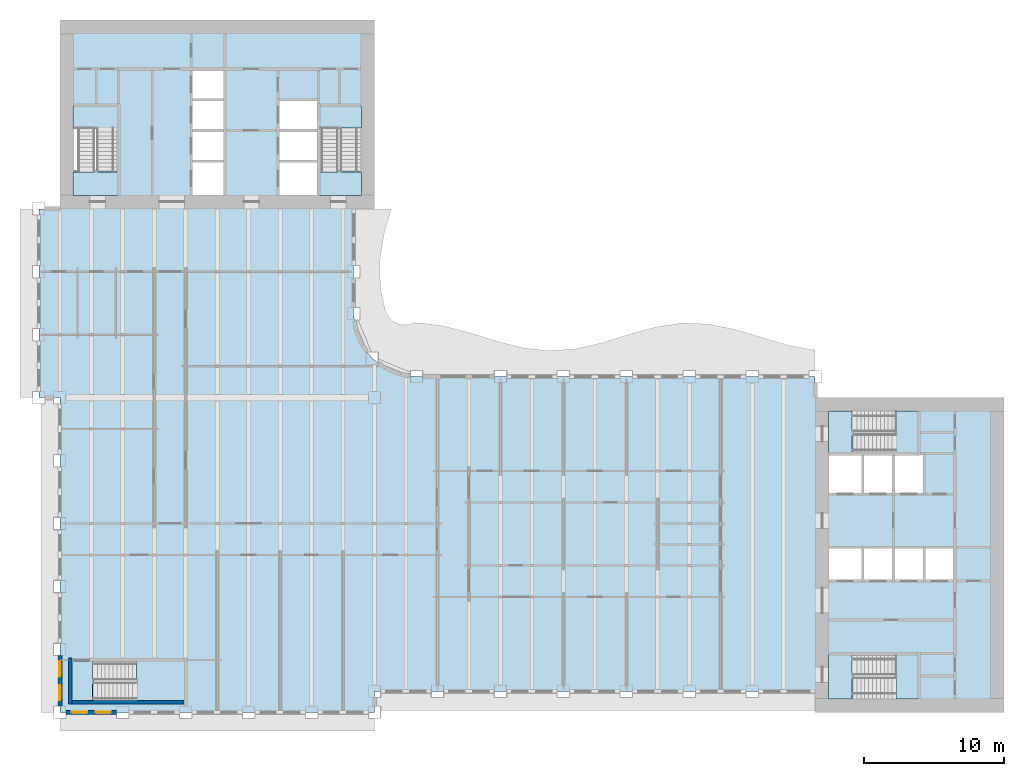
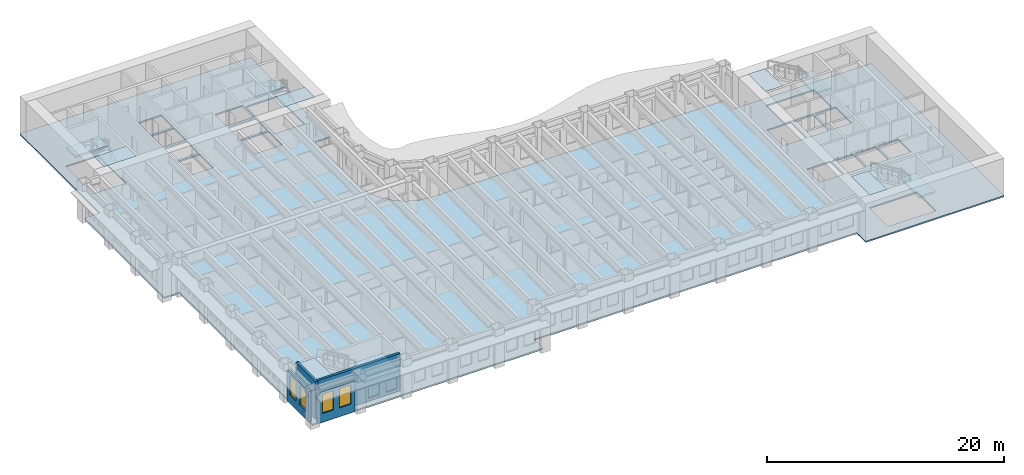
# One storey, part 2 of 16: 11 slabs, 4 walls, 4 windows, 4 openings, 5 elements without a shape of their own.
"""IFC4 building model written with IfcOpenShell, lengths in metres."""

import ifcopenshell
import ifcopenshell.guid

model = None  # the IFC model being written
_history = None  # IfcOwnerHistory: only IFC2X3 demands one
_inside = {}  # id of a spatial element -> (the spatial element, [elements in it])
_under = {}  # id of a project, library or spatial element -> (it, [spatial elements below it])
_declared = {}  # id of a project -> (the project, [libraries it declares])
_typed = {}  # id of a type object -> (the type object, [elements of that type])
_made_of = {}  # id of a material, layer set ... -> (it, [elements and type objects made of it])


def new_model(schema):
    """Start an empty IFC model of exactly this schema.

    Asked for "IFC4X3", IfcOpenShell would pick the latest addendum, in which some entities
    have other attributes; the version numbers below select the first issue.
    IFC2X3 requires an IfcOwnerHistory on every rooted entity: one is made here for all.
    """
    global model, _history
    if schema == "IFC4X3":
        model = ifcopenshell.file(schema_version=(4, 3, 0, 0))
    else:
        model = ifcopenshell.file(schema=schema)
    _inside.clear()
    _under.clear()
    _declared.clear()
    _typed.clear()
    _made_of.clear()
    _history = None
    if model.schema == "IFC2X3":
        org = make("IfcOrganization", Name="unknown")
        user = make(
            "IfcPersonAndOrganization",
            ThePerson=make("IfcPerson", FamilyName="unknown"),
            TheOrganization=org,
        )
        app = make(
            "IfcApplication",
            ApplicationDeveloper=org,
            Version="unknown",
            ApplicationFullName="unknown",
            ApplicationIdentifier="unknown",
        )
        _history = make(
            "IfcOwnerHistory",
            OwningUser=user,
            OwningApplication=app,
            ChangeAction="ADDED",
            CreationDate=0,
        )
    return model


def make(cls, **values):
    """One entity of the class cls with the attributes given. An attribute that is None is left unset."""
    return model.create_entity(
        cls, **{name: value for name, value in values.items() if value is not None}
    )


def rooted(cls, **values):
    """An entity with a GlobalId (a new one), such as an element, a storey or a relation."""
    return make(cls, GlobalId=ifcopenshell.guid.new(), OwnerHistory=_history, **values)


def si_unit(unit_type, name, prefix=None):
    """IfcSIUnit, for example si_unit("LENGTHUNIT", "METRE", prefix="MILLI")."""
    return make("IfcSIUnit", UnitType=unit_type, Prefix=prefix, Name=name)


def assignment(units):
    """IfcUnitAssignment: the units of a project."""
    return None if units is None else make("IfcUnitAssignment", Units=units)


def point(xyz):
    """IfcCartesianPoint."""
    return None if xyz is None else make("IfcCartesianPoint", Coordinates=xyz)


def direction(xyz):
    """IfcDirection."""
    return None if xyz is None else make("IfcDirection", DirectionRatios=xyz)


def frame(location, z_axis=None, x_axis=None):
    """IfcAxis2Placement3D, a coordinate frame: its origin and axes. An axis left out is left unset."""
    return make(
        "IfcAxis2Placement3D",
        Location=point(location),
        Axis=direction(z_axis),
        RefDirection=direction(x_axis),
    )


def frame_2d(location, x_axis=None):
    """IfcAxis2Placement2D, a coordinate frame in the plane: its origin and x axis."""
    return make(
        "IfcAxis2Placement2D", Location=point(location), RefDirection=direction(x_axis)
    )


def origin():
    """The frame at (0, 0, 0) with its axes left unset."""
    return frame((0.0, 0.0, 0.0))


def place(relative_to, where):
    """IfcLocalPlacement: puts the frame where relative to a parent placement (None: the world)."""
    return make(
        "IfcLocalPlacement", PlacementRelTo=relative_to, RelativePlacement=where
    )


def context(
    kind, dimensions, precision=None, world=None, true_north=None, identifier=None
):
    """IfcGeometricRepresentationContext, for example the 3D "Model" context."""
    return make(
        "IfcGeometricRepresentationContext",
        ContextIdentifier=identifier,
        ContextType=kind,
        CoordinateSpaceDimension=dimensions,
        Precision=precision,
        WorldCoordinateSystem=world,
        TrueNorth=true_north,
    )


def subcontext(parent, identifier, kind, view, scale=None):
    """IfcGeometricRepresentationSubContext, for example "Body" below "Model"."""
    return make(
        "IfcGeometricRepresentationSubContext",
        ContextIdentifier=identifier,
        ContextType=kind,
        ParentContext=parent,
        TargetScale=scale,
        TargetView=view,
    )


def project(units=None, contexts=None):
    """IfcProject with its units and contexts."""
    return rooted(
        "IfcProject",
        Name="project",
        RepresentationContexts=contexts,
        UnitsInContext=assignment(units),
    )


def spatial(cls, under=None, at=None, **own):
    """A site, building, storey or space (cls), placed at a placement, below another one or the project."""
    s = rooted(cls, ObjectPlacement=at, **own)
    if under is not None:
        _under.setdefault(under.id(), (under, []))[1].append(s)
    return s


def polyline(points):
    """IfcPolyline through the points."""
    return make("IfcPolyline", Points=[point(p) for p in points])


def profile(cls, at=None, kind="AREA", **sizes):
    """A parametric profile (cls). Its sizes go by their IFC names, for example OverallWidth=200.0."""
    return make(cls, ProfileType=kind, Position=at, **sizes)


def rectangle(**sizes):
    """IfcRectangleProfileDef."""
    return profile("IfcRectangleProfileDef", **sizes)


def outline(outer, holes=None, kind="AREA"):
    """IfcArbitraryClosedProfileDef: a profile drawn as a closed curve; with holes, ...WithVoids."""
    if holes is None:
        return make("IfcArbitraryClosedProfileDef", ProfileType=kind, OuterCurve=outer)
    return make(
        "IfcArbitraryProfileDefWithVoids",
        ProfileType=kind,
        OuterCurve=outer,
        InnerCurves=holes,
    )


def extrude(swept, where, along, depth):
    """IfcExtrudedAreaSolid: the profile swept, set in the frame where, extruded along a direction by depth."""
    return make(
        "IfcExtrudedAreaSolid",
        SweptArea=swept,
        Position=where,
        ExtrudedDirection=direction(along),
        Depth=depth,
    )


def shape(context_of_items, identifier, shape_type, items):
    """IfcShapeRepresentation: the items that make up one representation, for example the "Body"."""
    return make(
        "IfcShapeRepresentation",
        ContextOfItems=context_of_items,
        RepresentationIdentifier=identifier,
        RepresentationType=shape_type,
        Items=items,
    )


def material(Name=None, Category=None):
    """IfcMaterial."""
    return make("IfcMaterial", Name=Name, Category=Category)


def layer(
    of_material, thickness, ventilated=None, Name=None, Category=None, Priority=None
):
    """IfcMaterialLayer: one layer of a wall or slab, of a material (None: an air gap)."""
    return make(
        "IfcMaterialLayer",
        Material=of_material,
        LayerThickness=thickness,
        IsVentilated=ventilated,
        Name=Name,
        Category=Category,
        Priority=Priority,
    )


def layer_set(layers, Name=None):
    """IfcMaterialLayerSet."""
    return make("IfcMaterialLayerSet", MaterialLayers=layers, LayerSetName=Name)


def made_of(thing, what):
    """Note that an element or type object is made of a material, layer set ...; save() writes the relation."""
    if what is not None:
        _made_of.setdefault(what.id(), (what, []))[1].append(thing)
    return thing


def type_object(cls, material=None, **own):
    """A type object (cls), such as IfcWallType, which elements share."""
    return made_of(rooted(cls, **own), material)


def element(
    cls,
    number,
    at=None,
    inside=None,
    cuts=None,
    type_object=None,
    material=None,
    context=None,
    identifier="Body",
    shape_type=None,
    held_by="IfcProductDefinitionShape",
    body=None,
    shapes=None,
    **own,
):
    """One element of the class cls, such as IfcWall. Its Tag is "e" and its number.

    at: its placement. inside: the storey or other place that contains it. cuts: it is an
    opening in that element (IfcRelVoidsElement). A single representation is given by context,
    identifier, shape_type and body (its items); several are given by shapes. held_by: the class
    of the entity that holds the representations. save() writes the other relations.
    """
    e = rooted(cls, Tag="e%d" % number, ObjectPlacement=at, **own)
    if body is not None:
        shapes = [shape(context, identifier, shape_type, body)]
    if shapes is not None:
        e.Representation = make(held_by, Representations=shapes)
    if inside is not None:
        _inside.setdefault(inside.id(), (inside, []))[1].append(e)
    if cuts is not None:
        rooted(
            "IfcRelVoidsElement", RelatingBuildingElement=cuts, RelatedOpeningElement=e
        )
    if type_object is not None:
        _typed.setdefault(type_object.id(), (type_object, []))[1].append(e)
    return made_of(e, material)


def fill(opening, filler):
    """IfcRelFillsElement: the door or window that sits in an opening."""
    return rooted(
        "IfcRelFillsElement",
        RelatingOpeningElement=opening,
        RelatedBuildingElement=filler,
    )


def aggregate(whole, parts):
    """IfcRelAggregates: a whole, such as a stair, and the parts it consists of."""
    return rooted("IfcRelAggregates", RelatingObject=whole, RelatedObjects=parts)


def save(model, path):
    """Write the relations noted so far, then the file.

    IfcRelAggregates (storeys below a building ...), IfcRelContainedInSpatialStructure (elements
    in a storey), IfcRelDefinesByType, IfcRelAssociatesMaterial and IfcRelDeclares: one each for
    every whole, place, type object, material and project.
    """
    for whole, parts in _under.values():
        aggregate(whole, parts)
    for where, things in _inside.values():
        rooted(
            "IfcRelContainedInSpatialStructure",
            RelatedElements=things,
            RelatingStructure=where,
        )
    for kind, things in _typed.values():
        rooted("IfcRelDefinesByType", RelatedObjects=things, RelatingType=kind)
    for what, things in _made_of.values():
        rooted("IfcRelAssociatesMaterial", RelatedObjects=things, RelatingMaterial=what)
    for by, libraries in _declared.values():
        rooted("IfcRelDeclares", RelatingContext=by, RelatedDefinitions=libraries)
    model.write(path)


model = new_model("IFC4")

# Units and contexts
model_context = context("Model", 3, precision=1e-05, world=origin(), true_north=direction((0.0, 1.0)))
body_context = subcontext(model_context, "Body", "Model", "MODEL_VIEW")
ifc_project = project(units=[si_unit("LENGTHUNIT", "METRE"), si_unit("AREAUNIT", "SQUARE_METRE"), si_unit("VOLUMEUNIT", "CUBIC_METRE"), si_unit("PLANEANGLEUNIT", "RADIAN"), si_unit("MASSUNIT", "GRAM", prefix="KILO")], contexts=[model_context])

# Site, building, storey
site_placement = place(None, origin())
site = spatial("IfcSite", under=ifc_project, at=site_placement, CompositionType="ELEMENT")
building_placement = place(site_placement, origin())
building = spatial("IfcBuilding", under=site, at=building_placement, Name="Sennacour Bend Tower", CompositionType="ELEMENT")
storey_placement = place(building_placement, frame((0.0, 0.0, 171.0)))
storey = spatial("IfcBuildingStorey", under=building, at=storey_placement, Name="L39", CompositionType="ELEMENT", Elevation=171.0)

# Slabs
ifc_material_1 = material(Name="Concrete C30/37", Category="concrete")
ifc_layer_1 = layer(ifc_material_1, 0.14990234375, Name="Concrete C30/37", Category="concrete")
ifc_layer_set_1 = layer_set([ifc_layer_1], Name="Concrete C30/37")
slab_type_1 = type_object("IfcSlabType", Name="Floor slab 150", PredefinedType="FLOOR", material=ifc_layer_set_1)
slab_1_placement = place(storey_placement, frame((0.0, 0.0, -0.14990234375)))
element("IfcSlab", 1, at=slab_1_placement, inside=storey, type_object=slab_type_1, Name="Floor slab L39-01", PredefinedType="FLOOR", context=body_context, shape_type="SweptSolid", body=[
    extrude(outline(polyline([(0.0, 22.5), (-1.5, 22.5), (-1.5, 36.0), (0.0, 36.0), (0.0, 49.5), (22.5, 49.5), (22.5, 36.0), (21.0, 36.0), (21.0, 28.5), (21.1533203125, 27.335205078125), (21.602783203125, 26.25), (22.318115234375, 25.318115234375), (23.25, 24.602783203125), (24.335205078125, 24.1533203125), (25.5, 24.0), (54.0, 24.0), (54.0, 22.5), (67.5, 22.5), (67.5, 0.0), (54.0, 0.0), (54.0, 1.5), (22.5, 1.5), (22.5, 0.0), (0.0, 0.0), (0.0, 22.5)]), holes=[polyline([(8.800048828125, 0.949951171875), (8.800048828125, 3.5), (2.429931640625, 3.5), (2.429931640625, 0.949951171875), (8.800048828125, 0.949951171875)]), polyline([(11.699951171875, 37.0), (11.699951171875, 39.300048828125), (9.5, 39.300048828125), (9.5, 37.0), (11.699951171875, 37.0)]), polyline([(18.39990234375, 37.0), (18.39990234375, 39.300048828125), (15.699951171875, 39.300048828125), (15.699951171875, 37.0), (18.39990234375, 37.0)]), polyline([(11.699951171875, 39.5), (11.699951171875, 41.5), (9.5, 41.5), (9.5, 39.5), (11.699951171875, 39.5)]), polyline([(18.39990234375, 39.5), (18.39990234375, 41.5), (15.699951171875, 41.5), (15.699951171875, 39.5), (18.39990234375, 39.5)]), polyline([(4.125, 38.72998046875), (4.125, 43.39990234375), (0.949951171875, 43.39990234375), (0.949951171875, 38.72998046875), (4.125, 38.72998046875)]), polyline([(21.550048828125, 38.72998046875), (21.550048828125, 43.39990234375), (18.574951171875, 43.39990234375), (18.574951171875, 38.72998046875), (21.550048828125, 38.72998046875)]), polyline([(9.5, 41.699951171875), (11.699951171875, 41.699951171875), (11.699951171875, 43.699951171875), (9.5, 43.699951171875), (9.5, 41.699951171875)]), polyline([(15.699951171875, 41.699951171875), (18.39990234375, 41.699951171875), (18.39990234375, 43.699951171875), (15.699951171875, 43.699951171875), (15.699951171875, 41.699951171875)]), polyline([(11.699951171875, 43.89990234375), (11.699951171875, 45.89990234375), (9.5, 45.89990234375), (9.5, 43.89990234375), (11.699951171875, 43.89990234375)]), polyline([(61.39990234375, 0.949951171875), (61.39990234375, 4.125), (56.72998046875, 4.125), (56.72998046875, 0.949951171875), (61.39990234375, 0.949951171875)]), polyline([(57.300048828125, 9.5), (57.300048828125, 11.699951171875), (55.0, 11.699951171875), (55.0, 9.5), (57.300048828125, 9.5)]), polyline([(57.5, 9.5), (59.5, 9.5), (59.5, 11.699951171875), (57.5, 11.699951171875), (57.5, 9.5)]), polyline([(59.699951171875, 9.5), (61.699951171875, 9.5), (61.699951171875, 11.699951171875), (59.699951171875, 11.699951171875), (59.699951171875, 9.5)]), polyline([(63.89990234375, 9.5), (63.89990234375, 11.699951171875), (61.89990234375, 11.699951171875), (61.89990234375, 9.5), (63.89990234375, 9.5)]), polyline([(57.300048828125, 15.699951171875), (57.300048828125, 18.39990234375), (55.0, 18.39990234375), (55.0, 15.699951171875), (57.300048828125, 15.699951171875)]), polyline([(59.5, 15.699951171875), (59.5, 18.39990234375), (57.5, 18.39990234375), (57.5, 15.699951171875), (59.5, 15.699951171875)]), polyline([(59.699951171875, 15.699951171875), (61.699951171875, 15.699951171875), (61.699951171875, 18.39990234375), (59.699951171875, 18.39990234375), (59.699951171875, 15.699951171875)]), polyline([(56.72998046875, 18.574951171875), (61.39990234375, 18.574951171875), (61.39990234375, 21.550048828125), (56.72998046875, 21.550048828125), (56.72998046875, 18.574951171875)])]), origin(), (0.0, 0.0, 1.0), 0.14990234375),
])
ifc_material_2 = material(Name="Concrete C40/50", Category="concrete")
ifc_layer_2 = layer(ifc_material_2, 0.034912109375, Name="Concrete C40/50", Category="concrete")
ifc_layer_set_2 = layer_set([ifc_layer_2], Name="Concrete C40/50")
slab_type_2 = type_object("IfcSlabType", Name="Stair arrival nib 35", PredefinedType="FLOOR", material=ifc_layer_set_2)
slab_2_placement = place(storey_placement, frame((0.0, 0.0, 3.815185546875)))
element("IfcSlab", 2, at=slab_2_placement, inside=storey, type_object=slab_type_2, Name="L39 SA1 stair arrival nib", PredefinedType="FLOOR", context=body_context, shape_type="SweptSolid", body=[
    extrude(outline(polyline([(56.64208984375, 4.125), (54.949951171875, 4.125), (54.949951171875, 0.949951171875), (56.64208984375, 0.949951171875), (56.64208984375, 4.125)])), origin(), (0.0, 0.0, 1.0), 0.034912109375),
])
slab_3_placement = place(storey_placement, frame((0.0, 0.0, 3.815185546875)))
element("IfcSlab", 3, at=slab_3_placement, inside=storey, type_object=slab_type_2, Name="L39 SA2 stair arrival nib", PredefinedType="FLOOR", context=body_context, shape_type="SweptSolid", body=[
    extrude(outline(polyline([(56.64208984375, 21.550048828125), (54.949951171875, 21.550048828125), (54.949951171875, 18.574951171875), (56.64208984375, 18.574951171875), (56.64208984375, 21.550048828125)])), origin(), (0.0, 0.0, 1.0), 0.034912109375),
])
slab_4_placement = place(storey_placement, frame((0.0, 0.0, 3.815185546875)))
element("IfcSlab", 4, at=slab_4_placement, inside=storey, type_object=slab_type_2, Name="L39 SB1 stair arrival nib", PredefinedType="FLOOR", context=body_context, shape_type="SweptSolid", body=[
    extrude(outline(polyline([(0.949951171875, 38.64208984375), (0.949951171875, 36.949951171875), (4.125, 36.949951171875), (4.125, 38.64208984375), (0.949951171875, 38.64208984375)])), origin(), (0.0, 0.0, 1.0), 0.034912109375),
])
slab_5_placement = place(storey_placement, frame((0.0, 0.0, 3.815185546875)))
element("IfcSlab", 5, at=slab_5_placement, inside=storey, type_object=slab_type_2, Name="L39 SB2 stair arrival nib", PredefinedType="FLOOR", context=body_context, shape_type="SweptSolid", body=[
    extrude(outline(polyline([(18.574951171875, 38.64208984375), (18.574951171875, 36.949951171875), (21.550048828125, 36.949951171875), (21.550048828125, 38.64208984375), (18.574951171875, 38.64208984375)])), origin(), (0.0, 0.0, 1.0), 0.034912109375),
])
slab_6_placement = place(storey_placement, frame((0.0, 0.0, 3.815185546875)))
element("IfcSlab", 6, at=slab_6_placement, inside=storey, type_object=slab_type_2, Name="L39 SK1 stair arrival nib", PredefinedType="FLOOR", context=body_context, shape_type="SweptSolid", body=[
    extrude(outline(polyline([(2.342041015625, 3.675048828125), (0.800048828125, 3.675048828125), (0.800048828125, 0.800048828125), (2.342041015625, 0.800048828125), (2.342041015625, 3.675048828125)])), origin(), (0.0, 0.0, 1.0), 0.034912109375),
])

# Stair, slab
stair_type = type_object("IfcStairType", Name="ST-DOGLEG", PredefinedType="HALF_TURN_STAIR", material=ifc_material_2)
stair_1_placement = place(storey_placement, origin())
stair_1 = element("IfcStair", 7, at=stair_1_placement, inside=storey, type_object=stair_type, Name="L39 Exit stair A1", PredefinedType="HALF_TURN_STAIR")
ifc_layer_3 = layer(ifc_material_2, 0.199951171875, Name="Concrete C40/50", Category="concrete")
ifc_layer_set_3 = layer_set([ifc_layer_3], Name="Concrete C40/50")
slab_type_3 = type_object("IfcSlabType", Name="Stair landing 200", PredefinedType="LANDING", material=ifc_layer_set_3)
slab_7_placement = place(storey_placement, frame((0.0, 0.0, 1.800048828125)))
slab_7 = element("IfcSlab", 8, at=slab_7_placement, type_object=slab_type_3, Name="SA1 landing 1", PredefinedType="LANDING", context=body_context, shape_type="SweptSolid", body=[
    extrude(outline(polyline([(59.780029296875, 0.949951171875), (61.324951171875, 0.949951171875), (61.324951171875, 4.125), (59.780029296875, 4.125), (59.780029296875, 0.949951171875)])), origin(), (0.0, 0.0, 1.0), 0.199951171875),
])
aggregate(stair_1, [slab_7])

stair_2_placement = place(storey_placement, origin())
stair_2 = element("IfcStair", 9, at=stair_2_placement, inside=storey, type_object=stair_type, Name="L39 Exit stair A2", PredefinedType="HALF_TURN_STAIR")
slab_8_placement = place(storey_placement, frame((0.0, 0.0, 1.800048828125)))
slab_8 = element("IfcSlab", 10, at=slab_8_placement, type_object=slab_type_3, Name="SA2 landing 1", PredefinedType="LANDING", context=body_context, shape_type="SweptSolid", body=[
    extrude(outline(polyline([(59.780029296875, 18.574951171875), (61.324951171875, 18.574951171875), (61.324951171875, 21.550048828125), (59.780029296875, 21.550048828125), (59.780029296875, 18.574951171875)])), origin(), (0.0, 0.0, 1.0), 0.199951171875),
])
aggregate(stair_2, [slab_8])

stair_3_placement = place(storey_placement, origin())
stair_3 = element("IfcStair", 11, at=stair_3_placement, inside=storey, type_object=stair_type, Name="L39 Exit stair B1", PredefinedType="HALF_TURN_STAIR")
slab_9_placement = place(storey_placement, frame((0.0, 0.0, 1.800048828125)))
slab_9 = element("IfcSlab", 12, at=slab_9_placement, type_object=slab_type_3, Name="SB1 landing 1", PredefinedType="LANDING", context=body_context, shape_type="SweptSolid", body=[
    extrude(outline(polyline([(0.949951171875, 41.780029296875), (4.125, 41.780029296875), (4.125, 43.324951171875), (0.949951171875, 43.324951171875), (0.949951171875, 41.780029296875)])), origin(), (0.0, 0.0, 1.0), 0.199951171875),
])
aggregate(stair_3, [slab_9])

stair_4_placement = place(storey_placement, origin())
stair_4 = element("IfcStair", 13, at=stair_4_placement, inside=storey, type_object=stair_type, Name="L39 Exit stair B2", PredefinedType="HALF_TURN_STAIR")
slab_10_placement = place(storey_placement, frame((0.0, 0.0, 1.800048828125)))
slab_10 = element("IfcSlab", 14, at=slab_10_placement, type_object=slab_type_3, Name="SB2 landing 1", PredefinedType="LANDING", context=body_context, shape_type="SweptSolid", body=[
    extrude(outline(polyline([(18.574951171875, 41.780029296875), (21.550048828125, 41.780029296875), (21.550048828125, 43.324951171875), (18.574951171875, 43.324951171875), (18.574951171875, 41.780029296875)])), origin(), (0.0, 0.0, 1.0), 0.199951171875),
])
aggregate(stair_4, [slab_10])

stair_5_placement = place(storey_placement, origin())
stair_5 = element("IfcStair", 15, at=stair_5_placement, inside=storey, type_object=stair_type, Name="L39 Exit stair K1", PredefinedType="HALF_TURN_STAIR")
slab_11_placement = place(storey_placement, frame((0.0, 0.0, 1.800048828125)))
slab_11 = element("IfcSlab", 16, at=slab_11_placement, type_object=slab_type_3, Name="SK1 landing 1", PredefinedType="LANDING", context=body_context, shape_type="SweptSolid", body=[
    extrude(outline(polyline([(5.47998046875, 0.800048828125), (8.925048828125, 0.800048828125), (8.925048828125, 3.675048828125), (5.47998046875, 3.675048828125), (5.47998046875, 0.800048828125)])), origin(), (0.0, 0.0, 1.0), 0.199951171875),
])
aggregate(stair_5, [slab_11])

# Wall, openings, windows
ifc_material_3 = material(Name="Warm limestone cladding", Category="masonry")
ifc_layer_4 = layer(ifc_material_3, 0.050048828125, Name="Warm limestone cladding", Category="masonry")
ifc_material_4 = material(Name="Precast concrete C40/50", Category="concrete")
ifc_layer_5 = layer(ifc_material_4, 0.25, Name="Precast concrete C40/50", Category="concrete")
ifc_layer_set_4 = layer_set([ifc_layer_4, ifc_layer_5], Name="Precast concrete C40/50 with limestone cladding")
wall_type_1 = type_object("IfcWallType", Name="STONE-CLAD PRECAST SPANDREL 300", PredefinedType="STANDARD", material=ifc_layer_set_4)
wall_1_placement = place(storey_placement, frame((0.449951171875, 0.0, 0.0), z_axis=(0.0, 0.0, 1.0), x_axis=(1.0, 0.0, 0.0)))
wall_1 = element("IfcWall", 17, at=wall_1_placement, inside=storey, type_object=wall_type_1, Name="Stone spandrel and pier wall L39 00.00", PredefinedType="STANDARD", context=body_context, shape_type="SweptSolid", body=[
    extrude(rectangle(XDim=3.60009765625, YDim=0.300048828125, at=frame_2d((1.800048828125, 0.0))), origin(), (0.0, 0.0, 1.0), 3.14892578125),
])
opening_1_placement = place(wall_1_placement, frame((0.39990234375, 0.0, 0.89990234375)))
opening_1 = element("IfcOpeningElement", 18, at=opening_1_placement, cuts=wall_1, Name="Opening W19", PredefinedType="OPENING", context=body_context, shape_type="SweptSolid", body=[
    extrude(rectangle(XDim=1.10009765625, YDim=2.0, at=frame_2d((0.550048828125, 1.0))), frame((0.0, 0.16015625, 0.0), z_axis=(0.0, -1.0, 0.0), x_axis=(1.0, 0.0, 0.0)), (0.0, 0.0, 1.0), 0.320068359375),
])
opening_2_placement = place(wall_1_placement, frame((2.10009765625, 0.0, 0.89990234375)))
opening_2 = element("IfcOpeningElement", 19, at=opening_2_placement, cuts=wall_1, Name="Opening W19", PredefinedType="OPENING", context=body_context, shape_type="SweptSolid", body=[
    extrude(rectangle(XDim=1.10009765625, YDim=2.0, at=frame_2d((0.550048828125, 1.0))), frame((0.0, 0.16015625, 0.0), z_axis=(0.0, -1.0, 0.0), x_axis=(1.0, 0.0, 0.0)), (0.0, 0.0, 1.0), 0.320068359375),
])
ifc_material_5 = material(Name="Clear low-emissivity glass", Category="glass")
window_type = type_object("IfcWindowType", Name="WIN-RIBBON-1100x2000", PartitioningType="SINGLE_PANEL", PredefinedType="WINDOW", material=ifc_material_5)
window_1_placement = place(opening_1_placement, origin())
window_1 = element("IfcWindow", 20, at=window_1_placement, inside=storey, type_object=window_type, Name="Ribbon window L39 00.00.0", OverallHeight=2.0, OverallWidth=1.10009765625, PartitioningType="SINGLE_PANEL", PredefinedType="WINDOW", context=body_context, shape_type="SweptSolid", body=[
    extrude(rectangle(XDim=1.10009765625, YDim=2.0, at=frame_2d((0.550048828125, 1.0))), frame((0.0, 0.030029296875, 0.0), z_axis=(0.0, -1.0, 0.0), x_axis=(1.0, 0.0, 0.0)), (0.0, 0.0, 1.0), 0.06005859375),
])
fill(opening_1, window_1)
window_2_placement = place(opening_2_placement, origin())
window_2 = element("IfcWindow", 21, at=window_2_placement, inside=storey, type_object=window_type, Name="Ribbon window L39 00.00.1", OverallHeight=2.0, OverallWidth=1.10009765625, PartitioningType="SINGLE_PANEL", PredefinedType="WINDOW", context=body_context, shape_type="SweptSolid", body=[
    extrude(rectangle(XDim=1.10009765625, YDim=2.0, at=frame_2d((0.550048828125, 1.0))), frame((0.0, 0.030029296875, 0.0), z_axis=(0.0, -1.0, 0.0), x_axis=(1.0, 0.0, 0.0)), (0.0, 0.0, 1.0), 0.06005859375),
])
fill(opening_2, window_2)

wall_2_placement = place(storey_placement, frame((0.0, 4.050048828125, 0.0), z_axis=(0.0, 0.0, 1.0), x_axis=(0.0, -1.0, 0.0)))
wall_2 = element("IfcWall", 22, at=wall_2_placement, inside=storey, type_object=wall_type_1, Name="Stone spandrel and pier wall L39 23.04", PredefinedType="STANDARD", context=body_context, shape_type="SweptSolid", body=[
    extrude(rectangle(XDim=3.60009765625, YDim=0.300048828125, at=frame_2d((1.800048828125, 0.0))), origin(), (0.0, 0.0, 1.0), 3.14892578125),
])
opening_3_placement = place(wall_2_placement, frame((0.39990234375, 0.0, 0.89990234375)))
opening_3 = element("IfcOpeningElement", 23, at=opening_3_placement, cuts=wall_2, Name="Opening W19", PredefinedType="OPENING", context=body_context, shape_type="SweptSolid", body=[
    extrude(rectangle(XDim=1.10009765625, YDim=2.0, at=frame_2d((0.550048828125, 1.0))), frame((0.0, 0.16015625, 0.0), z_axis=(0.0, -1.0, 0.0), x_axis=(1.0, 0.0, 0.0)), (0.0, 0.0, 1.0), 0.320068359375),
])
opening_4_placement = place(wall_2_placement, frame((2.10009765625, 0.0, 0.89990234375)))
opening_4 = element("IfcOpeningElement", 24, at=opening_4_placement, cuts=wall_2, Name="Opening W19", PredefinedType="OPENING", context=body_context, shape_type="SweptSolid", body=[
    extrude(rectangle(XDim=1.10009765625, YDim=2.0, at=frame_2d((0.550048828125, 1.0))), frame((0.0, 0.16015625, 0.0), z_axis=(0.0, -1.0, 0.0), x_axis=(1.0, 0.0, 0.0)), (0.0, 0.0, 1.0), 0.320068359375),
])
window_3_placement = place(opening_3_placement, origin())
window_3 = element("IfcWindow", 25, at=window_3_placement, inside=storey, type_object=window_type, Name="Ribbon window L39 23.04.0", OverallHeight=2.0, OverallWidth=1.10009765625, PartitioningType="SINGLE_PANEL", PredefinedType="WINDOW", context=body_context, shape_type="SweptSolid", body=[
    extrude(rectangle(XDim=1.10009765625, YDim=2.0, at=frame_2d((0.550048828125, 1.0))), frame((0.0, 0.030029296875, 0.0), z_axis=(0.0, -1.0, 0.0), x_axis=(1.0, 0.0, 0.0)), (0.0, 0.0, 1.0), 0.06005859375),
])
fill(opening_3, window_3)
window_4_placement = place(opening_4_placement, origin())
window_4 = element("IfcWindow", 26, at=window_4_placement, inside=storey, type_object=window_type, Name="Ribbon window L39 23.04.1", OverallHeight=2.0, OverallWidth=1.10009765625, PartitioningType="SINGLE_PANEL", PredefinedType="WINDOW", context=body_context, shape_type="SweptSolid", body=[
    extrude(rectangle(XDim=1.10009765625, YDim=2.0, at=frame_2d((0.550048828125, 1.0))), frame((0.0, 0.030029296875, 0.0), z_axis=(0.0, -1.0, 0.0), x_axis=(1.0, 0.0, 0.0)), (0.0, 0.0, 1.0), 0.06005859375),
])
fill(opening_4, window_4)

# Walls
ifc_material_6 = material(Name="Concrete C60/75", Category="concrete")
ifc_layer_6 = layer(ifc_material_6, 0.25, Name="Concrete C60/75", Category="concrete")
ifc_layer_set_5 = layer_set([ifc_layer_6], Name="Concrete C60/75")
wall_type_2 = type_object("IfcWallType", Name="Stair wall 250", PredefinedType="SHEAR", material=ifc_layer_set_5)
wall_3_placement = place(storey_placement, frame((0.72509765625, 0.60009765625, 0.0), z_axis=(0.0, 0.0, 1.0), x_axis=(0.0, 1.0, 0.0)))
element("IfcWall", 27, at=wall_3_placement, inside=storey, type_object=wall_type_2, Name="P-L39-W003", PredefinedType="SHEAR", context=body_context, shape_type="SweptSolid", body=[
    extrude(rectangle(XDim=3.27490234375, YDim=0.25, at=frame_2d((1.637451171875, 0.0))), origin(), (0.0, 0.0, 1.0), 3.85009765625),
])
wall_4_placement = place(storey_placement, frame((0.85009765625, 0.72509765625, 0.0), z_axis=(0.0, 0.0, 1.0), x_axis=(1.0, 0.0, 0.0)))
element("IfcWall", 28, at=wall_4_placement, inside=storey, type_object=wall_type_2, Name="P-L39-W051", PredefinedType="SHEAR", context=body_context, shape_type="SweptSolid", body=[
    extrude(rectangle(XDim=8.02490234375, YDim=0.25, at=frame_2d((4.012451171875, 0.0))), origin(), (0.0, 0.0, 1.0), 3.85009765625),
])

save(model, "model.ifc")
